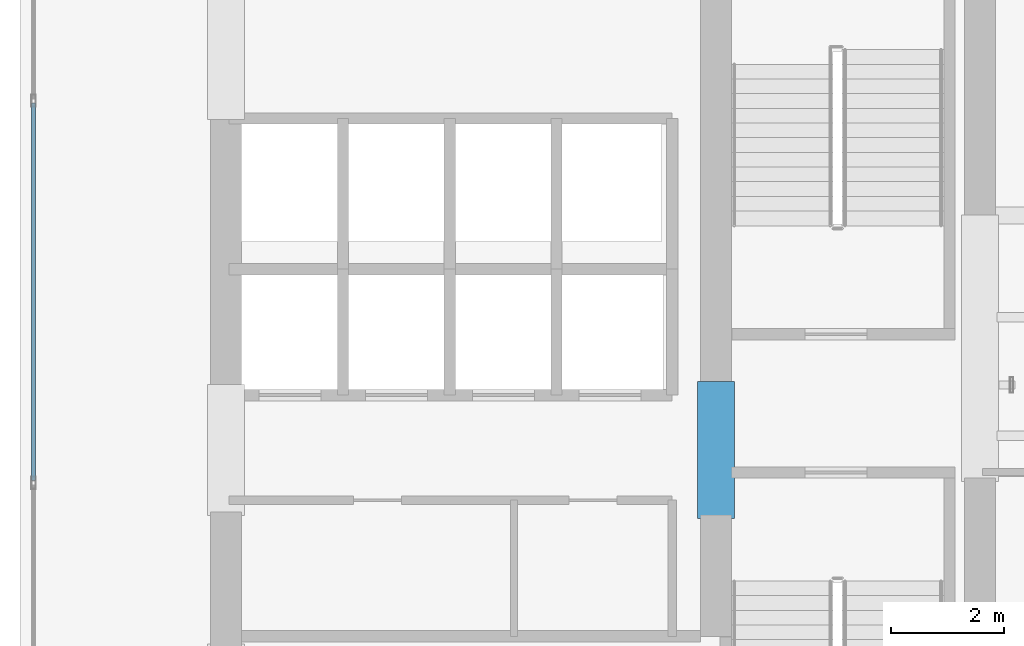
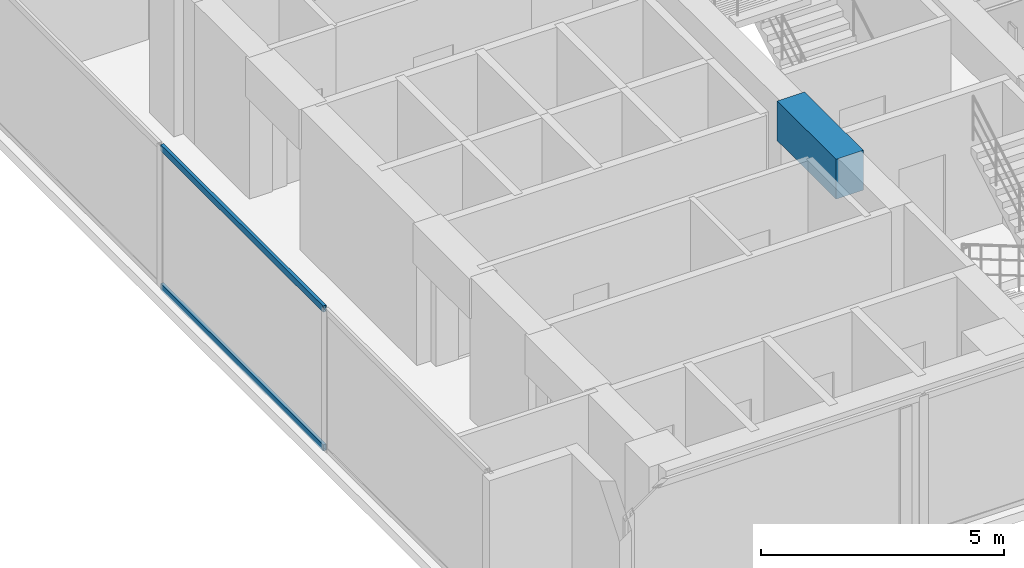
# One storey, part 3 of 23: 2 members, 1 beam, 1 element without a shape of its own.
"""IFC4 building model written with IfcOpenShell, lengths in metres."""

from ifc_helpers import new_model, si_unit, direction, frame, origin, origin_with_axes, origin_2d, place, context, subcontext, project, spatial, rectangle, hollow_rectangle, extrude, source, transform, mapped, material, layer, layer_set, material_profile, profile_set, type_object, element, aggregate, save


model = new_model("IFC4")

# Units and contexts
model_context = context("Model", 3, precision=1e-05, world=origin(), true_north=direction((0.0, 1.0)))
body_context = subcontext(model_context, "Body", "Model", "MODEL_VIEW")
ifc_project = project(units=[si_unit("LENGTHUNIT", "METRE"), si_unit("AREAUNIT", "SQUARE_METRE"), si_unit("VOLUMEUNIT", "CUBIC_METRE"), si_unit("PLANEANGLEUNIT", "RADIAN"), si_unit("MASSUNIT", "GRAM", prefix="KILO")], contexts=[model_context])

# Site, building, storey
site_placement = place(None, origin())
site = spatial("IfcSite", under=ifc_project, at=site_placement, CompositionType="ELEMENT")
building_placement = place(site_placement, origin())
building = spatial("IfcBuilding", under=site, at=building_placement, Name="Kolvaren Waterfront Exchange", CompositionType="ELEMENT")
storey_placement = place(building_placement, frame((0.0, 0.0, 212.10009765625)))
storey = spatial("IfcBuildingStorey", under=building, at=storey_placement, Name="L54", CompositionType="ELEMENT", Elevation=212.10009765625)

# Beam
ifc_material_1 = material(Name="Concrete C60/75", Category="concrete")
ifc_material_profile_1 = material_profile(ifc_material_1, rectangle(XDim=0.64990234375, YDim=1.0, at=origin_2d()), Name="RC-CB-1000x650")
ifc_profile_set_1 = profile_set([ifc_material_profile_1], Name="Concrete C60/75")
beam_type = type_object("IfcBeamType", Name="STR-CB-1000", PredefinedType="SPANDREL", material=ifc_profile_set_1)
beam_placement = place(storey_placement, frame((16.125, 12.0400390625, 3.059814453125), z_axis=(0.0, 1.0, 0.0), x_axis=(-1.0, 0.0, 0.0)))
element("IfcBeam", 1, at=beam_placement, inside=storey, type_object=beam_type, Name="L54 core coupling beam 6", PredefinedType="SPANDREL", context=body_context, shape_type="SweptSolid", body=[
    extrude(rectangle(XDim=0.64990234375, YDim=1.0, at=origin_2d()), origin(), (0.0, 0.0, 1.0), 2.419921875),
])

# Curtain wall, members
ifc_material_2 = material(Name="Anodised aluminium 6063-T6", Category="aluminium")
ifc_layer = layer(ifc_material_2, 0.219970703125, Name="Anodised aluminium 6063-T6")
ifc_layer_set = layer_set([ifc_layer], Name="Anodised aluminium 6063-T6")
curtain_wall_type = type_object("IfcCurtainWallType", Name="ARC-CW-SYS2", PredefinedType="USERDEFINED", material=ifc_layer_set)
curtain_wall_placement = place(storey_placement, origin())
curtain_wall = element("IfcCurtainWall", 2, at=curtain_wall_placement, inside=storey, type_object=curtain_wall_type, Name="L54 stick curtain wall CW2 (CW-L54-W)", ObjectType="STICK CURTAIN WALL", PredefinedType="USERDEFINED")
ifc_material_profile_2 = material_profile(ifc_material_2, hollow_rectangle(XDim=0.074951171875, YDim=0.159912109375, WallThickness=0.00439453125, at=origin_2d()), Name="ALU-TRN-160x75x4.5")
ifc_profile_set_2 = profile_set([ifc_material_profile_2], Name="Anodised aluminium 6063-T6")
member_type = type_object("IfcMemberType", Name="ARC-CWT-160", PredefinedType="USERDEFINED", material=ifc_profile_set_2)
shared_shape = source(origin_with_axes(), body_context, "Body", "SweptSolid", [
    extrude(hollow_rectangle(XDim=0.074951171875, YDim=0.159912109375, WallThickness=0.00439453125, at=origin_2d()), origin(), (0.0, 0.0, 1.0), 6.6865234375),
])
member_1_placement = place(storey_placement, frame((4.0400390625, 12.706787109375, 0.037353515625), z_axis=(0.0, 1.0, 0.0), x_axis=(-1.0, 0.0, 0.0)))
member_1 = element("IfcMember", 3, at=member_1_placement, type_object=member_type, Name="CW2 transom 2.1", ObjectType="TRANSOM", PredefinedType="USERDEFINED", context=body_context, shape_type="MappedRepresentation", body=[
    mapped(shared_shape, transform((0.0, 0.0, 0.0), x_axis=(1.0, 0.0, 0.0), y_axis=(0.0, 1.0, 0.0), z_axis=(0.0, 0.0, 1.0), scale=1.0)),
])
member_2_placement = place(storey_placement, frame((4.0400390625, 12.706787109375, 3.5224609375), z_axis=(0.0, 1.0, 0.0), x_axis=(-1.0, 0.0, 0.0)))
member_2 = element("IfcMember", 4, at=member_2_placement, type_object=member_type, Name="CW2 transom 2.2", ObjectType="TRANSOM", PredefinedType="USERDEFINED", context=body_context, shape_type="MappedRepresentation", body=[
    mapped(shared_shape, transform((0.0, 0.0, 0.0), x_axis=(1.0, 0.0, 0.0), y_axis=(0.0, 1.0, 0.0), z_axis=(0.0, 0.0, 1.0), scale=1.0)),
])
aggregate(curtain_wall, [member_1, member_2])

save(model, "model.ifc")
